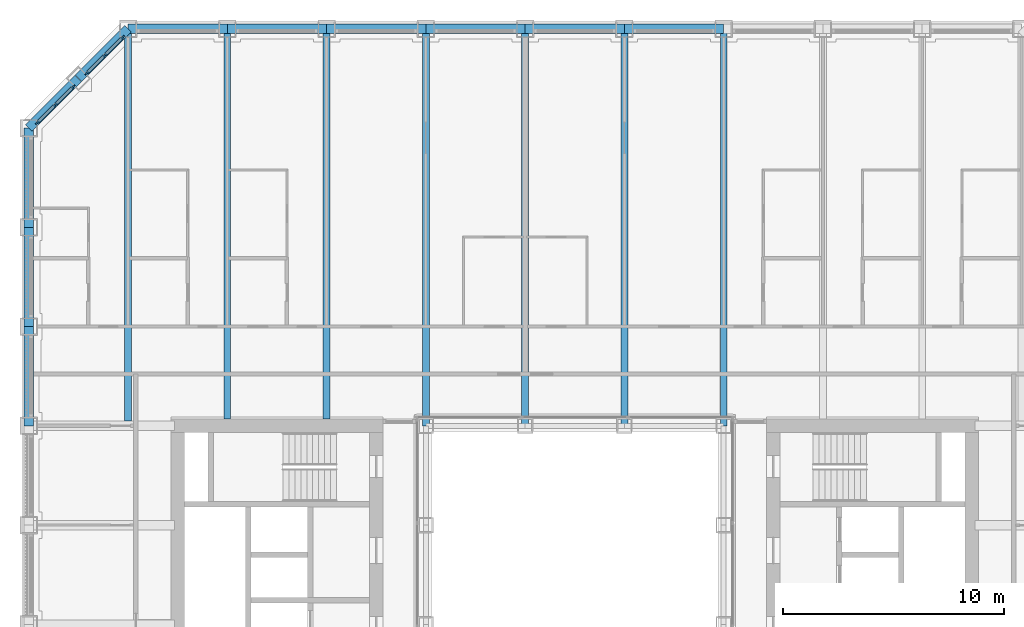
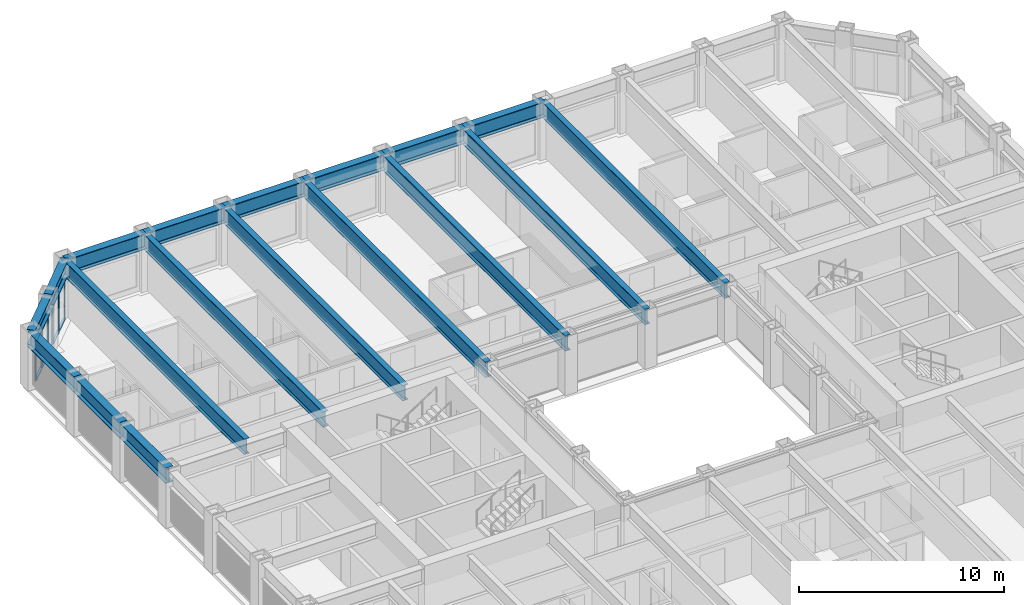
# One storey, part 6 of 21: 18 beams, 14 members, 2 elements without a shape of their own.
"""IFC4 building model written with IfcOpenShell, lengths in metres."""

from ifc_helpers import new_model, si_unit, direction, frame, origin, origin_2d, place, context, subcontext, project, spatial, rectangle, i_section, extrude, material, material_profile, profile_set, type_object, element, aggregate, save


model = new_model("IFC4")

# Units and contexts
model_context = context("Model", 3, precision=1e-05, world=origin(), true_north=direction((0.0, 1.0)))
body_context = subcontext(model_context, "Body", "Model", "MODEL_VIEW")
ifc_project = project(units=[si_unit("LENGTHUNIT", "METRE"), si_unit("AREAUNIT", "SQUARE_METRE"), si_unit("VOLUMEUNIT", "CUBIC_METRE"), si_unit("PLANEANGLEUNIT", "RADIAN"), si_unit("MASSUNIT", "GRAM", prefix="KILO")], contexts=[model_context])

# Site, building, storey
site_placement = place(None, origin())
site = spatial("IfcSite", under=ifc_project, at=site_placement, CompositionType="ELEMENT")
building_placement = place(site_placement, origin())
building = spatial("IfcBuilding", under=site, at=building_placement, Name="Msasa Ring Tower", CompositionType="ELEMENT")
storey_placement = place(building_placement, frame((0.0, 0.0, 86.0)))
storey = spatial("IfcBuildingStorey", under=building, at=storey_placement, Name="L22", CompositionType="ELEMENT", Elevation=86.0)

# Curtain wall, members
ifc_material_1 = material(Name="Aluminium curtain wall with clear glass", Category="aluminium")
curtain_wall_type = type_object("IfcCurtainWallType", Name="CW-C CHAMFER CORNER CURTAIN WALL", PredefinedType="NOTDEFINED", material=ifc_material_1)
curtain_wall_1_placement = place(storey_placement, origin())
curtain_wall_1 = element("IfcCurtainWall", 1, at=curtain_wall_1_placement, inside=storey, type_object=curtain_wall_type, Name="Chamfer corner curtain wall NW L22", PredefinedType="NOTDEFINED")
ifc_material_2 = material(Name="Aluminium mullion", Category="aluminium")
ifc_material_profile_1 = material_profile(ifc_material_2, rectangle(XDim=0.06494140625, YDim=0.179931640625, at=origin_2d()), Name="AL 65x180")
ifc_profile_set_1 = profile_set([ifc_material_profile_1], Name="Aluminium mullion")
member_type_1 = type_object("IfcMemberType", Name="CW-C MULLION 65x180", PredefinedType="MULLION", material=ifc_profile_set_1)
member_1_placement = place(storey_placement, frame((-22.73876953125, 22.119873046875, 0.0), z_axis=(0.0, 0.0, 1.0), x_axis=(0.707106781187, -0.707106781187, 0.0)))
member_1 = element("IfcMember", 2, at=member_1_placement, type_object=member_type_1, Name="CW-C mullion 1", PredefinedType="MULLION", context=body_context, shape_type="SweptSolid", body=[
    extrude(rectangle(XDim=0.06494140625, YDim=0.179931640625, at=origin_2d()), origin(), (0.0, 0.0, 1.0), 2.37890625),
])
member_2_placement = place(storey_placement, frame((-23.55419921875, 21.30419921875, 0.0), z_axis=(0.0, 0.0, 1.0), x_axis=(0.707106781187, -0.707106781187, 0.0)))
member_2 = element("IfcMember", 3, at=member_2_placement, type_object=member_type_1, Name="CW-C mullion 2", PredefinedType="MULLION", context=body_context, shape_type="SweptSolid", body=[
    extrude(rectangle(XDim=0.06494140625, YDim=0.179931640625, at=origin_2d()), origin(), (0.0, 0.0, 1.0), 2.37890625),
])
member_3_placement = place(storey_placement, frame((-24.369873046875, 20.48876953125, 0.0), z_axis=(0.0, 0.0, 1.0), x_axis=(0.707106781187, -0.707106781187, 0.0)))
member_3 = element("IfcMember", 4, at=member_3_placement, type_object=member_type_1, Name="CW-C mullion 3", PredefinedType="MULLION", context=body_context, shape_type="SweptSolid", body=[
    extrude(rectangle(XDim=0.06494140625, YDim=0.179931640625, at=origin_2d()), origin(), (0.0, 0.0, 1.0), 2.37890625),
])

curtain_wall_2_placement = place(storey_placement, origin())
curtain_wall_2 = element("IfcCurtainWall", 5, at=curtain_wall_2_placement, inside=storey, type_object=curtain_wall_type, Name="Chamfer corner curtain wall NW L22", PredefinedType="NOTDEFINED")
member_4_placement = place(storey_placement, frame((-20.48876953125, 24.369873046875, 0.0), z_axis=(0.0, 0.0, 1.0), x_axis=(0.707106781187, -0.707106781187, 0.0)))
member_4 = element("IfcMember", 6, at=member_4_placement, type_object=member_type_1, Name="CW-C mullion 1", PredefinedType="MULLION", context=body_context, shape_type="SweptSolid", body=[
    extrude(rectangle(XDim=0.06494140625, YDim=0.179931640625, at=origin_2d()), origin(), (0.0, 0.0, 1.0), 2.37890625),
])
member_5_placement = place(storey_placement, frame((-21.30419921875, 23.55419921875, 0.0), z_axis=(0.0, 0.0, 1.0), x_axis=(0.707106781187, -0.707106781187, 0.0)))
member_5 = element("IfcMember", 7, at=member_5_placement, type_object=member_type_1, Name="CW-C mullion 2", PredefinedType="MULLION", context=body_context, shape_type="SweptSolid", body=[
    extrude(rectangle(XDim=0.06494140625, YDim=0.179931640625, at=origin_2d()), origin(), (0.0, 0.0, 1.0), 2.37890625),
])
member_6_placement = place(storey_placement, frame((-22.119873046875, 22.73876953125, 0.0), z_axis=(0.0, 0.0, 1.0), x_axis=(0.707106781187, -0.707106781187, 0.0)))
member_6 = element("IfcMember", 8, at=member_6_placement, type_object=member_type_1, Name="CW-C mullion 3", PredefinedType="MULLION", context=body_context, shape_type="SweptSolid", body=[
    extrude(rectangle(XDim=0.06494140625, YDim=0.179931640625, at=origin_2d()), origin(), (0.0, 0.0, 1.0), 2.37890625),
])

# Member
ifc_material_3 = material(Name="Aluminium transom", Category="aluminium")
ifc_material_profile_2 = material_profile(ifc_material_3, rectangle(XDim=0.139892578125, YDim=0.06494140625, at=origin_2d()), Name="AL 65x140")
ifc_profile_set_2 = profile_set([ifc_material_profile_2], Name="Aluminium transom")
member_type_2 = type_object("IfcMemberType", Name="CW-C TRANSOM 65x140", PredefinedType="USERDEFINED", material=ifc_profile_set_2)
member_7_placement = place(storey_placement, frame((-22.76171875, 22.096923828125, 0.032470703125), z_axis=(-0.707106781187, -0.707106781187, 0.0), x_axis=(0.707106781187, -0.707106781187, 0.0)))
member_7 = element("IfcMember", 9, at=member_7_placement, type_object=member_type_2, Name="CW-C transom 1.1", ObjectType="TRANSOM", PredefinedType="USERDEFINED", context=body_context, shape_type="SweptSolid", body=[
    extrude(rectangle(XDim=0.139892578125, YDim=0.06494140625, at=origin_2d()), origin(), (0.0, 0.0, 1.0), 1.08837890625),
])

member_8_placement = place(storey_placement, frame((-22.76171875, 22.096923828125, 2.346435546875), z_axis=(-0.707106781187, -0.707106781187, 0.0), x_axis=(0.707106781187, -0.707106781187, 0.0)))
member_8 = element("IfcMember", 10, at=member_8_placement, type_object=member_type_2, Name="CW-C transom 1.2", ObjectType="TRANSOM", PredefinedType="USERDEFINED", context=body_context, shape_type="SweptSolid", body=[
    extrude(rectangle(XDim=0.139892578125, YDim=0.06494140625, at=origin_2d()), origin(), (0.0, 0.0, 1.0), 1.08837890625),
])

member_9_placement = place(storey_placement, frame((-23.577392578125, 21.28125, 0.032470703125), z_axis=(-0.707106781187, -0.707106781187, 0.0), x_axis=(0.707106781187, -0.707106781187, 0.0)))
member_9 = element("IfcMember", 11, at=member_9_placement, type_object=member_type_2, Name="CW-C transom 2.1", ObjectType="TRANSOM", PredefinedType="USERDEFINED", context=body_context, shape_type="SweptSolid", body=[
    extrude(rectangle(XDim=0.139892578125, YDim=0.06494140625, at=origin_2d()), origin(), (0.0, 0.0, 1.0), 1.08837890625),
])

member_10_placement = place(storey_placement, frame((-23.577392578125, 21.28125, 2.346435546875), z_axis=(-0.707106781187, -0.707106781187, 0.0), x_axis=(0.707106781187, -0.707106781187, 0.0)))
member_10 = element("IfcMember", 12, at=member_10_placement, type_object=member_type_2, Name="CW-C transom 2.2", ObjectType="TRANSOM", PredefinedType="USERDEFINED", context=body_context, shape_type="SweptSolid", body=[
    extrude(rectangle(XDim=0.139892578125, YDim=0.06494140625, at=origin_2d()), origin(), (0.0, 0.0, 1.0), 1.08837890625),
])

aggregate(curtain_wall_1, [member_1, member_2, member_3, member_7, member_8, member_9, member_10])

member_11_placement = place(storey_placement, frame((-20.51171875, 24.346923828125, 0.032470703125), z_axis=(-0.707106781187, -0.707106781187, 0.0), x_axis=(0.707106781187, -0.707106781187, 0.0)))
member_11 = element("IfcMember", 13, at=member_11_placement, type_object=member_type_2, Name="CW-C transom 1.1", ObjectType="TRANSOM", PredefinedType="USERDEFINED", context=body_context, shape_type="SweptSolid", body=[
    extrude(rectangle(XDim=0.139892578125, YDim=0.06494140625, at=origin_2d()), origin(), (0.0, 0.0, 1.0), 1.08837890625),
])

member_12_placement = place(storey_placement, frame((-20.51171875, 24.346923828125, 2.346435546875), z_axis=(-0.707106781187, -0.707106781187, 0.0), x_axis=(0.707106781187, -0.707106781187, 0.0)))
member_12 = element("IfcMember", 14, at=member_12_placement, type_object=member_type_2, Name="CW-C transom 1.2", ObjectType="TRANSOM", PredefinedType="USERDEFINED", context=body_context, shape_type="SweptSolid", body=[
    extrude(rectangle(XDim=0.139892578125, YDim=0.06494140625, at=origin_2d()), origin(), (0.0, 0.0, 1.0), 1.08837890625),
])

member_13_placement = place(storey_placement, frame((-21.327392578125, 23.53125, 0.032470703125), z_axis=(-0.707106781187, -0.707106781187, 0.0), x_axis=(0.707106781187, -0.707106781187, 0.0)))
member_13 = element("IfcMember", 15, at=member_13_placement, type_object=member_type_2, Name="CW-C transom 2.1", ObjectType="TRANSOM", PredefinedType="USERDEFINED", context=body_context, shape_type="SweptSolid", body=[
    extrude(rectangle(XDim=0.139892578125, YDim=0.06494140625, at=origin_2d()), origin(), (0.0, 0.0, 1.0), 1.08837890625),
])

member_14_placement = place(storey_placement, frame((-21.327392578125, 23.53125, 2.346435546875), z_axis=(-0.707106781187, -0.707106781187, 0.0), x_axis=(0.707106781187, -0.707106781187, 0.0)))
member_14 = element("IfcMember", 16, at=member_14_placement, type_object=member_type_2, Name="CW-C transom 2.2", ObjectType="TRANSOM", PredefinedType="USERDEFINED", context=body_context, shape_type="SweptSolid", body=[
    extrude(rectangle(XDim=0.139892578125, YDim=0.06494140625, at=origin_2d()), origin(), (0.0, 0.0, 1.0), 1.08837890625),
])

aggregate(curtain_wall_2, [member_4, member_5, member_6, member_11, member_12, member_13, member_14])

# Beams
ifc_material_4 = material(Name="Steel S355", Category="steel")
ifc_material_profile_3 = material_profile(ifc_material_4, i_section(OverallWidth=0.3076171875, OverallDepth=0.926513671875, WebThickness=0.01953125, FlangeThickness=0.031982421875, FilletRadius=0.01904296875, at=origin_2d()), Name="UB 914x305x289")
ifc_profile_set_3 = profile_set([ifc_material_profile_3], Name="Steel S355")
beam_type_1 = type_object("IfcBeamType", Name="FB3 UB 914x305x289", PredefinedType="BEAM", material=ifc_profile_set_3)
beam_placement = place(storey_placement, frame((-20.25, 24.75, 2.836669921875), z_axis=(0.0, -1.0, 0.0), x_axis=(1.0, 0.0, 0.0)))
element("IfcBeam", 17, at=beam_placement, inside=storey, type_object=beam_type_1, Name="Floor beam N-20.25 under L23", PredefinedType="BEAM", context=body_context, shape_type="SweptSolid", body=[
    extrude(i_section(OverallWidth=0.3076171875, OverallDepth=0.926513671875, WebThickness=0.01953125, FlangeThickness=0.031982421875, FilletRadius=0.01904296875, at=origin_2d()), origin(), (0.0, 0.0, 1.0), 17.789794921875),
])
for number, where, z_axis, x_axis, name in (
    (18, (-15.75, 24.75, 2.836669921875), (0.0, -1.0, 0.0), (1.0, 0.0, 0.0), "Floor beam N-15.75 under L23"),
    (19, (-11.25, 24.75, 2.836669921875), (0.0, -1.0, 0.0), (1.0, 0.0, 0.0), "Floor beam N-11.25 under L23"),
):
    element("IfcBeam", number, at=place(storey_placement, frame(where, z_axis=z_axis, x_axis=x_axis)), inside=storey, type_object=beam_type_1, Name=name, PredefinedType="BEAM", context=body_context, shape_type="SweptSolid", body=[
        extrude(i_section(OverallWidth=0.3076171875, OverallDepth=0.926513671875, WebThickness=0.01953125, FlangeThickness=0.031982421875, FilletRadius=0.01904296875, at=origin_2d()), origin(), (0.0, 0.0, 1.0), 17.699951171875),
    ])
for number, where, z_axis, x_axis, name in (
    (20, (-6.75, 24.75, 2.836669921875), (0.0, -1.0, 0.0), (1.0, 0.0, 0.0), "Floor beam N-6.75 under L23"),
    (21, (-2.25, 24.75, 2.836669921875), (0.0, -1.0, 0.0), (1.0, 0.0, 0.0), "Floor beam N-2.25 under L23"),
    (22, (2.25, 24.75, 2.836669921875), (0.0, -1.0, 0.0), (1.0, 0.0, 0.0), "Floor beam N+2.25 under L23"),
    (23, (6.75, 24.75, 2.836669921875), (0.0, -1.0, 0.0), (1.0, 0.0, 0.0), "Floor beam N+6.75 under L23"),
):
    element("IfcBeam", number, at=place(storey_placement, frame(where, z_axis=z_axis, x_axis=x_axis)), inside=storey, type_object=beam_type_1, Name=name, PredefinedType="BEAM", context=body_context, shape_type="SweptSolid", body=[
        extrude(i_section(OverallWidth=0.3076171875, OverallDepth=0.926513671875, WebThickness=0.01953125, FlangeThickness=0.031982421875, FilletRadius=0.01904296875, at=origin_2d()), origin(), (0.0, 0.0, 1.0), 18.0),
    ])
ifc_material_5 = material(Name="Steel S355", Category="steel")
ifc_material_profile_4 = material_profile(ifc_material_5, i_section(OverallWidth=0.42041015625, OverallDepth=0.9208984375, WebThickness=0.021484375, FlangeThickness=0.03662109375, FilletRadius=0.024169921875, at=origin_2d()), Name="UB 914x419x388")
ifc_profile_set_4 = profile_set([ifc_material_profile_4], Name="Steel S355")
beam_type_2 = type_object("IfcBeamType", Name="SB1 UB 914x419x388", PredefinedType="SPANDREL", material=ifc_profile_set_4)
for number, where, z_axis, x_axis, name in (
    (24, (6.75, 24.75, 2.839599609375), (-1.0, 0.0, 0.0), (0.0, -1.0, 0.0), "Spandrel N+6.75 to N+2.25 under L23"),
    (25, (2.25, 24.75, 2.839599609375), (-1.0, 0.0, 0.0), (0.0, -1.0, 0.0), "Spandrel N+2.25 to N-2.25 under L23"),
    (26, (-2.25, 24.75, 2.839599609375), (-1.0, 0.0, 0.0), (0.0, -1.0, 0.0), "Spandrel N-2.25 to N-6.75 under L23"),
    (27, (-6.75, 24.75, 2.839599609375), (-1.0, 0.0, 0.0), (0.0, -1.0, 0.0), "Spandrel N-6.75 to N-11.25 under L23"),
    (28, (-11.25, 24.75, 2.839599609375), (-1.0, 0.0, 0.0), (0.0, -1.0, 0.0), "Spandrel N-11.25 to N-15.75 under L23"),
    (29, (-15.75, 24.75, 2.839599609375), (-1.0, 0.0, 0.0), (0.0, -1.0, 0.0), "Spandrel N-15.75 to N-20.25 under L23"),
):
    element("IfcBeam", number, at=place(storey_placement, frame(where, z_axis=z_axis, x_axis=x_axis)), inside=storey, type_object=beam_type_2, Name=name, PredefinedType="SPANDREL", context=body_context, shape_type="SweptSolid", body=[
        extrude(i_section(OverallWidth=0.42041015625, OverallDepth=0.9208984375, WebThickness=0.021484375, FlangeThickness=0.03662109375, FilletRadius=0.024169921875, at=origin_2d()), origin(), (0.0, 0.0, 1.0), 4.5),
    ])
for number, where, z_axis, x_axis, name in (
    (30, (-20.25, 24.75, 2.839599609375), (-0.707106781187, -0.707106781187, 0.0), (0.707106781187, -0.707106781187, 0.0), "Spandrel N-20.25 to NW under L23"),
    (31, (-22.5, 22.5, 2.839599609375), (-0.707106781187, -0.707106781187, 0.0), (0.707106781187, -0.707106781187, 0.0), "Spandrel NW to W+20.25 under L23"),
):
    element("IfcBeam", number, at=place(storey_placement, frame(where, z_axis=z_axis, x_axis=x_axis)), inside=storey, type_object=beam_type_2, Name=name, PredefinedType="SPANDREL", context=body_context, shape_type="SweptSolid", body=[
        extrude(i_section(OverallWidth=0.42041015625, OverallDepth=0.9208984375, WebThickness=0.021484375, FlangeThickness=0.03662109375, FilletRadius=0.024169921875, at=origin_2d()), origin(), (0.0, 0.0, 1.0), 3.181884765625),
    ])
for number, where, z_axis, x_axis, name in (
    (32, (-24.75, 20.25, 2.839599609375), (0.0, -1.0, 0.0), (1.0, 0.0, 0.0), "Spandrel W+20.25 to W+15.75 under L23"),
    (33, (-24.75, 15.75, 2.839599609375), (0.0, -1.0, 0.0), (1.0, 0.0, 0.0), "Spandrel W+15.75 to W+11.25 under L23"),
    (34, (-24.75, 11.25, 2.839599609375), (0.0, -1.0, 0.0), (1.0, 0.0, 0.0), "Spandrel W+11.25 to W+6.75 under L23"),
):
    element("IfcBeam", number, at=place(storey_placement, frame(where, z_axis=z_axis, x_axis=x_axis)), inside=storey, type_object=beam_type_2, Name=name, PredefinedType="SPANDREL", context=body_context, shape_type="SweptSolid", body=[
        extrude(i_section(OverallWidth=0.42041015625, OverallDepth=0.9208984375, WebThickness=0.021484375, FlangeThickness=0.03662109375, FilletRadius=0.024169921875, at=origin_2d()), origin(), (0.0, 0.0, 1.0), 4.5),
    ])

save(model, "model.ifc")
